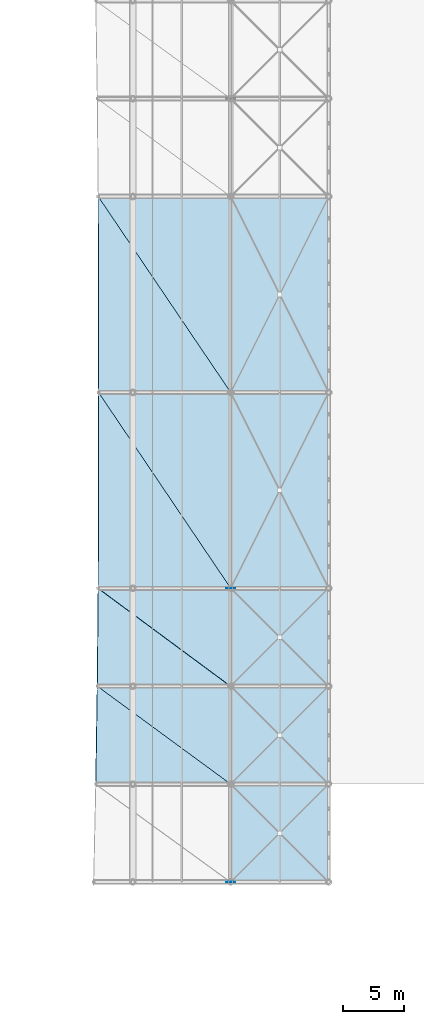
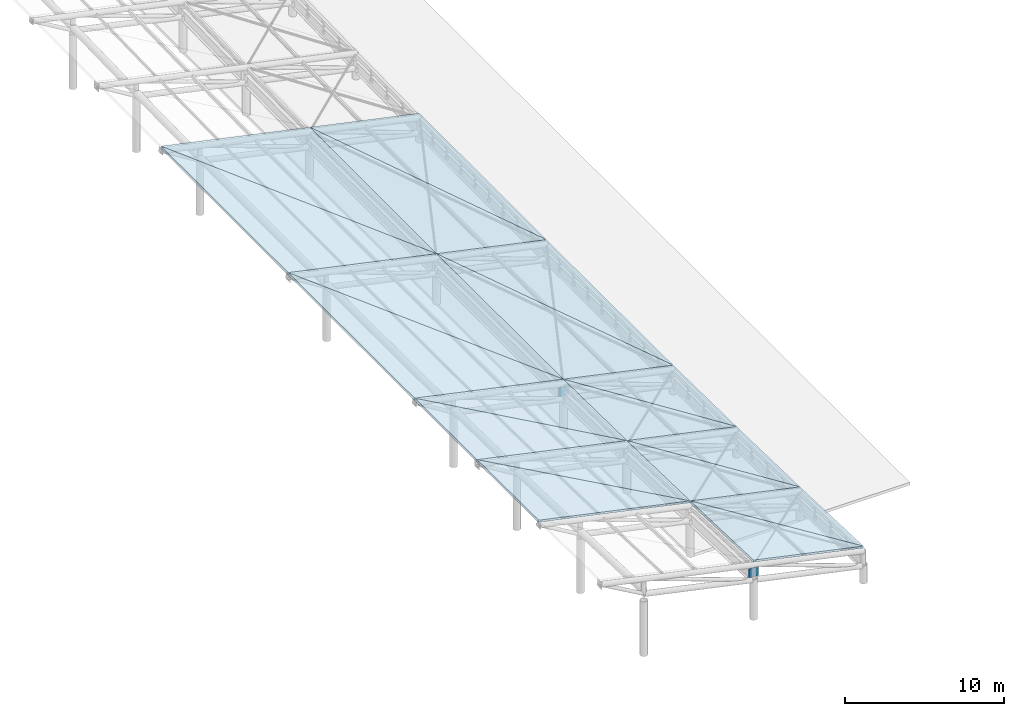
# One storey, part 25 of 41: 18 slabs, 2 plates.
"""IFC4 building model written with IfcOpenShell, lengths in metres."""

from ifc_helpers import new_model, si_unit, direction, frame, origin, origin_2d, place, context, subcontext, project, spatial, polyline, rectangle, outline, extrude, material, layer, layer_set, type_object, element, save


model = new_model("IFC4")

# Units and contexts
model_context = context("Model", 3, precision=1e-05, world=origin(), true_north=direction((0.0, 1.0)))
body_context = subcontext(model_context, "Body", "Model", "MODEL_VIEW")
ifc_project = project(units=[si_unit("LENGTHUNIT", "METRE"), si_unit("AREAUNIT", "SQUARE_METRE"), si_unit("VOLUMEUNIT", "CUBIC_METRE"), si_unit("PLANEANGLEUNIT", "RADIAN"), si_unit("MASSUNIT", "GRAM", prefix="KILO")], contexts=[model_context])

# Site, building, storey
site_placement = place(None, origin())
site = spatial("IfcSite", under=ifc_project, at=site_placement, CompositionType="ELEMENT")
building_placement = place(site_placement, origin())
building = spatial("IfcBuilding", under=site, at=building_placement, Name="Haebicheon Civic Stadium", CompositionType="ELEMENT")
storey_placement = place(building_placement, frame((0.0, 0.0, 27.0)))
storey = spatial("IfcBuildingStorey", under=building, at=storey_placement, Name="L07", CompositionType="ELEMENT", Elevation=27.0)

# Plates
ifc_material_1 = material(Name="White painted steel SM490", Category="steel")
ifc_layer_1 = layer(ifc_material_1, 0.031982421875, Name="White painted steel SM490")
ifc_layer_set_1 = layer_set([ifc_layer_1], Name="White painted steel SM490")
plate_type = type_object("IfcPlateType", Name="PLT-GUS-32", PredefinedType="USERDEFINED", material=ifc_layer_set_1)
for number, where, z_axis, x_axis, name in (
    (1, (144.0, 48.0, 3.171875), (0.0, 0.0, 1.0), (1.0, 0.0, 0.0), "CAN-EAST heel node gusset plate KN-T01"),
    (2, (144.0, 72.0, 2.55322265625), (0.0, 0.0, 1.0), (1.0, 0.0, 0.0), "CAN-EAST heel node gusset plate KN-T04"),
):
    element("IfcPlate", number, at=place(storey_placement, frame(where, z_axis=z_axis, x_axis=x_axis)), inside=storey, type_object=plate_type, material=ifc_layer_set_1, Name=name, ObjectType="GUSSET PLATE", PredefinedType="USERDEFINED", context=body_context, shape_type="SweptSolid", body=[
        extrude(rectangle(XDim=0.719970703125, YDim=0.031982421875, at=origin_2d()), origin(), (0.0, 0.0, 1.0), 0.719970703125),
    ])

# Slabs
ifc_material_2 = material(Name="White painted steel SM490", Category="steel")
ifc_layer_2 = layer(ifc_material_2, 0.159912109375, Name="White painted steel SM490")
ifc_layer_set_2 = layer_set([ifc_layer_2], Name="White painted steel SM490")
slab_type = type_object("IfcSlabType", Name="SLB-CAN-160", PredefinedType="ROOF", material=ifc_layer_set_2)
slab_1_placement = place(storey_placement, frame((152.0, 48.0, 2.739990234375), z_axis=(0.210062260137, 0.035303579276, 0.977050410243), x_axis=(-0.977659849808, 0.0, 0.210193287411)))
element("IfcSlab", 3, at=slab_1_placement, inside=storey, type_object=slab_type, material=ifc_layer_set_2, Name="CAN-EAST curled canopy facet 1.BS-A", PredefinedType="ROOF", context=body_context, shape_type="SweptSolid", body=[
    extrude(outline(polyline([(0.0, 0.0), (8.182805094807545, 6.938893903907228e-18), (8.122046097665164, -8.004990035794703), (0.0, 0.0)])), origin(), (0.0, 0.0, -1.0), 0.159912109375),
])
slab_2_placement = place(storey_placement, frame((152.0, 48.0, 2.739990234375), z_axis=(0.210062260137, 0.035303579276, 0.977050410243), x_axis=(-0.701518269783, 0.701518269783, 0.125476030859)))
element("IfcSlab", 4, at=slab_2_placement, inside=storey, type_object=slab_type, material=ifc_layer_set_2, Name="CAN-EAST curled canopy facet 1.BS-B", PredefinedType="ROOF", context=body_context, shape_type="SweptSolid", body=[
    extrude(outline(polyline([(0.0, 0.0), (11.40383699838657, 7.494005416219807e-16), (5.57587574309686, -5.743967864329525), (0.0, 0.0)])), origin(), (0.0, 0.0, -1.0), 0.159912109375),
])
slab_3_placement = place(storey_placement, frame((152.0, 56.0, 2.450927734375), z_axis=(0.210126834549, 0.025143636838, 0.977350761461), x_axis=(-0.977659849808, 0.0, 0.210193287411)))
element("IfcSlab", 5, at=slab_3_placement, inside=storey, type_object=slab_type, material=ifc_layer_set_2, Name="CAN-EAST curled canopy facet 2.BS-A", PredefinedType="ROOF", context=body_context, shape_type="SweptSolid", body=[
    extrude(outline(polyline([(0.0, 0.0), (8.182805094807545, 1.3877787807814457e-17), (8.139545099375933, -8.002530009565739), (0.0, 0.0)])), origin(), (0.0, 0.0, -1.0), 0.159912109375),
])
slab_4_placement = place(storey_placement, frame((152.0, 56.0, 2.450927734375), z_axis=(0.210126834549, 0.025143636838, 0.977350761461), x_axis=(-0.700857906015, 0.700857906015, 0.13265138956)))
element("IfcSlab", 6, at=slab_4_placement, inside=storey, type_object=slab_type, material=ifc_layer_set_2, Name="CAN-EAST curled canopy facet 2.BS-B", PredefinedType="ROOF", context=body_context, shape_type="SweptSolid", body=[
    extrude(outline(polyline([(0.0, 0.0), (11.41458194498489, 0.0), (5.579562193091791, -5.736797339511455), (0.0, 0.0)])), origin(), (0.0, 0.0, -1.0), 0.159912109375),
])
slab_5_placement = place(storey_placement, frame((144.0, 56.0, 4.1708984375), z_axis=(0.210110042121, 0.025171479652, 0.977353654934), x_axis=(-0.97766342944, 0.0, 0.210176636986)))
element("IfcSlab", 7, at=slab_5_placement, inside=storey, type_object=slab_type, material=ifc_layer_set_2, Name="CAN-EAST curled canopy facet 2.CT-A", PredefinedType="ROOF", context=body_context, shape_type="SweptSolid", body=[
    extrude(outline(polyline([(0.0, 0.0), (11.27678709436811, -6.938893903907228e-18), (11.105626892327571, -8.002535618547526), (0.0, 0.0)])), origin(), (0.0, 0.0, -1.0), 0.159912109375),
])
slab_6_placement = place(storey_placement, frame((144.0, 56.0, 4.1708984375), z_axis=(0.21009070785, 0.025143836507, 0.977358522734), x_axis=(-0.796280674422, 0.584431419152, 0.156131367287)))
element("IfcSlab", 8, at=slab_6_placement, inside=storey, type_object=slab_type, material=ifc_layer_set_2, Name="CAN-EAST curled canopy facet 2.CT-B", PredefinedType="ROOF", context=body_context, shape_type="SweptSolid", body=[
    extrude(outline(polyline([(0.0, 0.0), (13.68851799858959, -3.885780586188048e-16), (4.643317871128366, -6.517818433253946), (0.0, 0.0)])), origin(), (0.0, 0.0, -1.0), 0.159912109375),
])
slab_7_placement = place(storey_placement, frame((152.0, 64.0, 2.2451171875), z_axis=(0.21016914853, 0.015154851306, 0.977547574028), x_axis=(-0.977659849808, 0.0, 0.210193287411)))
element("IfcSlab", 9, at=slab_7_placement, inside=storey, type_object=slab_type, material=ifc_layer_set_2, Name="CAN-EAST curled canopy facet 3.BS-A", PredefinedType="ROOF", context=body_context, shape_type="SweptSolid", body=[
    extrude(outline(polyline([(0.0, 0.0), (8.182805094807545, 3.469446951953614e-18), (8.156736200763348, -8.000918836347024), (0.0, 0.0)])), origin(), (0.0, 0.0, -1.0), 0.159912109375),
])
slab_8_placement = place(storey_placement, frame((152.0, 64.0, 2.2451171875), z_axis=(0.21016914853, 0.015154851306, 0.977547574028), x_axis=(-0.700174773618, 0.700174773618, 0.139680251927)))
element("IfcSlab", 10, at=slab_8_placement, inside=storey, type_object=slab_type, material=ifc_layer_set_2, Name="CAN-EAST curled canopy facet 3.BS-B", PredefinedType="ROOF", context=body_context, shape_type="SweptSolid", body=[
    extrude(outline(polyline([(0.0, 0.0), (11.425718694010277, 2.7755575615628914e-16), (5.584074563948045, -5.730051751713746), (0.0, 0.0)])), origin(), (0.0, 0.0, -1.0), 0.159912109375),
])
slab_9_placement = place(storey_placement, frame((144.0, 64.0, 3.965087890625), z_axis=(0.210133014469, 0.015155210195, 0.977555336456), x_axis=(-0.977667618447, 0.0, 0.210157150343)))
element("IfcSlab", 11, at=slab_9_placement, inside=storey, type_object=slab_type, material=ifc_layer_set_2, Name="CAN-EAST curled canopy facet 3.CT-A", PredefinedType="ROOF", context=body_context, shape_type="SweptSolid", body=[
    extrude(outline(polyline([(0.0, 0.0), (11.14888346314058, 0.0), (11.046155395962765, -8.000918879873822), (0.0, 0.0)])), origin(), (0.0, 0.0, -1.0), 0.159912109375),
])
slab_10_placement = place(storey_placement, frame((144.0, 64.0, 3.965087890625), z_axis=(0.210132846717, 0.015154972263, 0.977555376204), x_axis=(-0.793655123836, 0.586537610182, 0.161509059347)))
element("IfcSlab", 12, at=slab_10_placement, inside=storey, type_object=slab_type, material=ifc_layer_set_2, Name="CAN-EAST curled canopy facet 3.CT-B", PredefinedType="ROOF", context=body_context, shape_type="SweptSolid", body=[
    extrude(outline(polyline([(0.0, 0.0), (13.63936405973822, -1.6653345369377348e-16), (4.67226997272778, -6.495019254397608), (0.0, 0.0)])), origin(), (0.0, 0.0, -1.0), 0.159912109375),
])
slab_11_placement = place(storey_placement, frame((152.0, 72.0, 2.12109375), z_axis=(0.210192627294, 0.00250620024, 0.977656779443), x_axis=(-0.977659849808, 0.0, 0.210193287411)))
element("IfcSlab", 13, at=slab_11_placement, inside=storey, type_object=slab_type, material=ifc_layer_set_2, Name="CAN-EAST curled canopy facet 4.BS-A", PredefinedType="ROOF", context=body_context, shape_type="SweptSolid", body=[
    extrude(outline(polyline([(0.0, 0.0), (8.182805094807545, 0.0), (8.174183885753557, -16.000050248553862), (0.0, 0.0)])), origin(), (0.0, 0.0, -1.0), 0.159912109375),
])
slab_12_placement = place(storey_placement, frame((152.0, 72.0, 2.12109375), z_axis=(0.210192627294, 0.00250620024, 0.977656779443), x_axis=(-0.445256755076, 0.890513510152, 0.093445761251)))
element("IfcSlab", 14, at=slab_12_placement, inside=storey, type_object=slab_type, material=ifc_layer_set_2, Name="CAN-EAST curled canopy facet 4.BS-B", PredefinedType="ROOF", context=body_context, shape_type="SweptSolid", body=[
    extrude(outline(polyline([(0.0, 0.0), (17.967161438423204, 1.6653345369377348e-16), (14.244383426132575, -7.286921372624638), (0.0, 0.0)])), origin(), (0.0, 0.0, -1.0), 0.159912109375),
])
slab_13_placement = place(storey_placement, frame((144.0, 72.0, 3.841064453125), z_axis=(0.210156336845, 0.002477493418, 0.97766465422), x_axis=(-0.977667654673, 0.0, 0.210156981815)))
element("IfcSlab", 15, at=slab_13_placement, inside=storey, type_object=slab_type, material=ifc_layer_set_2, Name="CAN-EAST curled canopy facet 4.CT-A", PredefinedType="ROOF", context=body_context, shape_type="SweptSolid", body=[
    extrude(outline(polyline([(0.0, 0.0), (11.07221980816373, 0.0), (11.03822771505878, -16.000049104015137), (0.0, 0.0)])), origin(), (0.0, 0.0, -1.0), 0.159912109375),
])
slab_14_placement = place(storey_placement, frame((144.0, 72.0, 3.841064453125), z_axis=(0.210196999974, 0.00250619783, 0.977655839329), x_axis=(-0.555609201478, 0.823121021499, 0.117346492063)))
element("IfcSlab", 16, at=slab_14_placement, inside=storey, type_object=slab_type, material=ifc_layer_set_2, Name="CAN-EAST curled canopy facet 4.CT-B", PredefinedType="ROOF", context=body_context, shape_type="SweptSolid", body=[
    extrude(outline(polyline([(0.0, 0.0), (19.438210885274067, -6.106226635438361e-16), (13.165123304270653, -9.09292090941321), (0.0, 0.0)])), origin(), (0.0, 0.0, -1.0), 0.159912109375),
])
slab_15_placement = place(storey_placement, frame((152.0, 88.0, 2.080078125), z_axis=(0.210192627294, -0.00250620024, 0.977656779443), x_axis=(-0.977659849808, 0.0, 0.210193287411)))
element("IfcSlab", 17, at=slab_15_placement, inside=storey, type_object=slab_type, material=ifc_layer_set_2, Name="CAN-EAST curled canopy facet 5.BS-A", PredefinedType="ROOF", context=body_context, shape_type="SweptSolid", body=[
    extrude(outline(polyline([(0.0, 0.0), (8.182805094807545, 0.0), (8.191426303861531, -16.000050248553862), (0.0, 0.0)])), origin(), (0.0, 0.0, -1.0), 0.159912109375),
])
slab_16_placement = place(storey_placement, frame((152.0, 88.0, 2.080078125), z_axis=(0.210192627294, -0.00250620024, 0.977656779443), x_axis=(-0.445062278477, 0.890124556955, 0.097968573445)))
element("IfcSlab", 18, at=slab_16_placement, inside=storey, type_object=slab_type, material=ifc_layer_set_2, Name="CAN-EAST curled canopy facet 5.BS-B", PredefinedType="ROOF", context=body_context, shape_type="SweptSolid", body=[
    extrude(outline(polyline([(0.0, 0.0), (17.97501245751566, -5.551115123125783e-17), (14.246011153544226, -7.283738634423098), (0.0, 0.0)])), origin(), (0.0, 0.0, -1.0), 0.159912109375),
])
slab_17_placement = place(storey_placement, frame((144.0, 88.0, 3.800048828125), z_axis=(0.210197015055, -0.002477405021, 0.977655909472), x_axis=(-0.977658909685, 0.0, 0.210197660104)))
element("IfcSlab", 19, at=slab_17_placement, inside=storey, type_object=slab_type, material=ifc_layer_set_2, Name="CAN-EAST curled canopy facet 5.CT-A", PredefinedType="ROOF", context=body_context, shape_type="SweptSolid", body=[
    extrude(outline(polyline([(0.0, 0.0), (11.046847444578171, 0.0), (11.080841186982326, -16.000049100511117), (0.0, 0.0)])), origin(), (0.0, 0.0, -1.0), 0.159912109375),
])
slab_18_placement = place(storey_placement, frame((144.0, 88.0, 3.800048828125), z_axis=(0.210156321801, -0.002506220248, 0.977664584235), x_axis=(-0.55619699141, 0.822096259029, 0.121666131841)))
element("IfcSlab", 20, at=slab_18_placement, inside=storey, type_object=slab_type, material=ifc_layer_set_2, Name="CAN-EAST curled canopy facet 5.CT-B", PredefinedType="ROOF", context=body_context, shape_type="SweptSolid", body=[
    extrude(outline(polyline([(0.0, 0.0), (19.462441075823207, -3.885780586188048e-16), (13.158530356897353, -9.10245907038889), (0.0, 0.0)])), origin(), (0.0, 0.0, -1.0), 0.159912109375),
])

save(model, "model.ifc")
